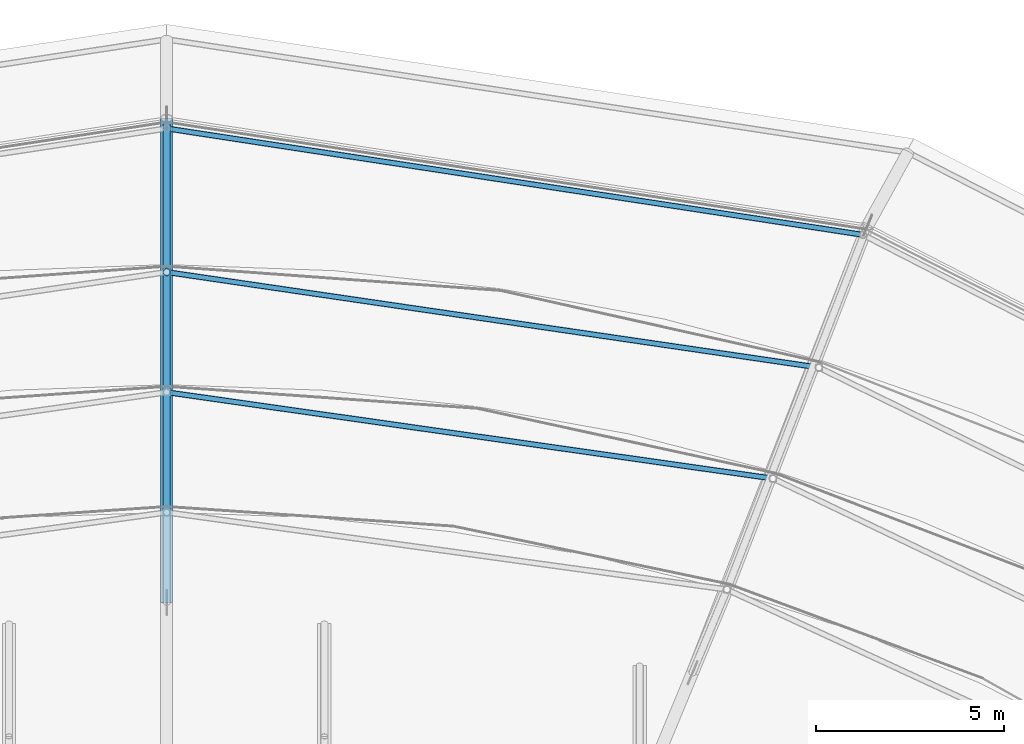
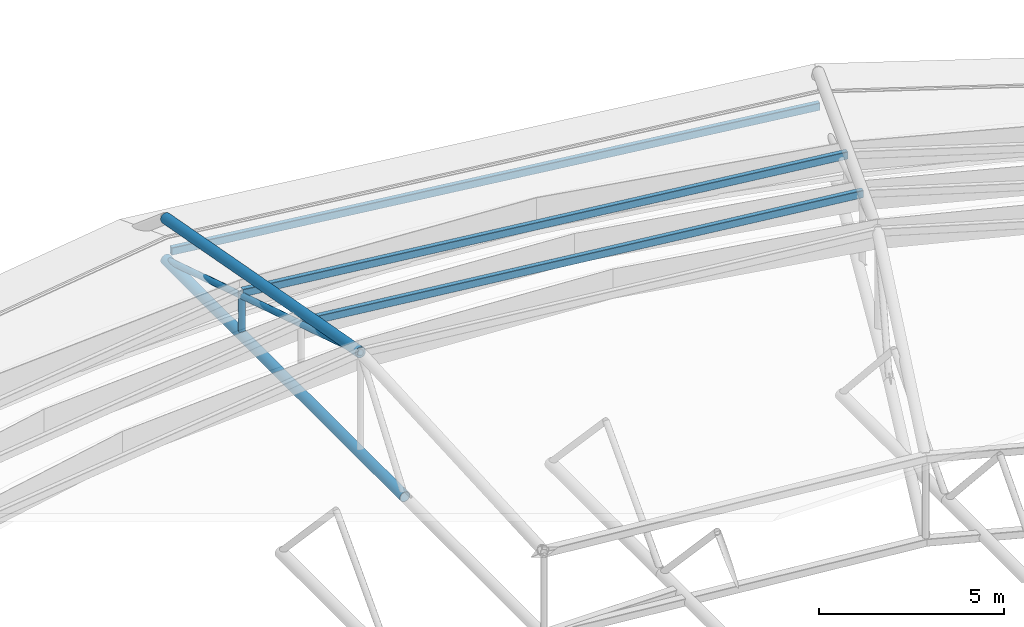
# One storey, part 45 of 134: 4 members, 3 beams.
"""IFC4 building model written with IfcOpenShell, lengths in metres."""

from ifc_helpers import new_model, si_unit, derived_unit, direction, frame, origin, origin_2d, place, context, subcontext, project, spatial, hollow_rectangle, hollow_circle, extrude, material, material_profile, profile_set, type_object, element, save


model = new_model("IFC4")

# Units and contexts
model_context = context("Model", 3, precision=1e-05, world=origin(), true_north=direction((0.0, 1.0)))
body_context = subcontext(model_context, "Body", "Model", "MODEL_VIEW")
ifc_project = project(units=[si_unit("LENGTHUNIT", "METRE"), si_unit("AREAUNIT", "SQUARE_METRE"), si_unit("VOLUMEUNIT", "CUBIC_METRE"), si_unit("PLANEANGLEUNIT", "RADIAN"), si_unit("MASSUNIT", "GRAM", prefix="KILO"), derived_unit("THERMALTRANSMITTANCEUNIT", [(si_unit("MASSUNIT", "GRAM", prefix="KILO"), 1), (si_unit("TIMEUNIT", "SECOND"), -3), (si_unit("THERMODYNAMICTEMPERATUREUNIT", "KELVIN"), -1)])], contexts=[model_context])

# Site, building, storey
site_placement = place(None, origin())
site = spatial("IfcSite", under=ifc_project, at=site_placement, CompositionType="ELEMENT")
building_placement = place(site_placement, origin())
building = spatial("IfcBuilding", under=site, at=building_placement, Name="Kharveza Railside Sports Centre", CompositionType="ELEMENT")
storey_placement = place(building_placement, frame((0.0, 0.0, 12.89990234375)))
storey = spatial("IfcBuildingStorey", under=building, at=storey_placement, Name="L03", CompositionType="ELEMENT", Elevation=12.89990234375)

# Beams
ifc_material = material(Name="Steel S355J2", Category="steel")
ifc_material_profile_1 = material_profile(ifc_material, hollow_rectangle(XDim=0.14990234375, YDim=0.25, WallThickness=0.010009765625, InnerFilletRadius=0.010009765625, OuterFilletRadius=0.02001953125, at=origin_2d()), Name="RHS 150x250x10.0")
ifc_profile_set_1 = profile_set([ifc_material_profile_1], Name="Steel S355J2")
beam_type = type_object("IfcBeamType", Name="BM-SP04", PredefinedType="SPANDREL", material=ifc_profile_set_1)
beam_1_placement = place(storey_placement, frame((73.148681640625, 84.793212890625, 0.405029296875), z_axis=(-0.988530449225, 0.151021690348, 0.0), x_axis=(-0.151021690348, -0.988530449225, 0.0)))
element("IfcBeam", 1, at=beam_1_placement, inside=storey, type_object=beam_type, Name="BM-LIDRING-S1-04", PredefinedType="SPANDREL", context=body_context, shape_type="SweptSolid", body=[
    extrude(hollow_rectangle(XDim=0.14990234375, YDim=0.25, WallThickness=0.010009765625, InnerFilletRadius=0.010009765625, OuterFilletRadius=0.02001953125, at=origin_2d()), origin(), (0.0, 0.0, 1.0), 18.763916015625),
])
beam_2_placement = place(storey_placement, frame((71.973876953125, 81.257568359375, 1.35498046875), z_axis=(-0.989461258484, 0.144797852056, 0.0), x_axis=(-0.144797852056, -0.989461258484, 0.0)))
element("IfcBeam", 2, at=beam_2_placement, inside=storey, type_object=beam_type, Name="BM-LIDRING-S2-04", PredefinedType="SPANDREL", context=body_context, shape_type="SweptSolid", body=[
    extrude(hollow_rectangle(XDim=0.14990234375, YDim=0.25, WallThickness=0.010009765625, InnerFilletRadius=0.010009765625, OuterFilletRadius=0.02001953125, at=origin_2d()), origin(), (0.0, 0.0, 1.0), 17.558837890625),
])
beam_3_placement = place(storey_placement, frame((70.749267578125, 78.30126953125, 2.30517578125), z_axis=(-0.990019715922, 0.140928925652, 0.0), x_axis=(-0.140928925652, -0.990019715922, 0.0)))
element("IfcBeam", 3, at=beam_3_placement, inside=storey, type_object=beam_type, Name="BM-LIDRING-S3-04", PredefinedType="SPANDREL", context=body_context, shape_type="SweptSolid", body=[
    extrude(hollow_rectangle(XDim=0.14990234375, YDim=0.25, WallThickness=0.010009765625, InnerFilletRadius=0.010009765625, OuterFilletRadius=0.02001953125, at=origin_2d()), origin(), (0.0, 0.0, 1.0), 16.31201171875),
])

# Members
ifc_material_profile_2 = material_profile(ifc_material, hollow_circle(Radius=0.161865234375, WallThickness=0.01611328125, at=origin_2d()), Name="CHS 323.9x16.0")
ifc_profile_set_2 = profile_set([ifc_material_profile_2], Name="Steel S355J2")
member_type_1 = type_object("IfcMemberType", Name="MB-CH02", PredefinedType="CHORD", material=ifc_profile_set_2)
member_1_placement = place(storey_placement, frame((54.60009765625, 75.0, -0.0498046875), z_axis=(0.0, 1.0, 0.0), x_axis=(-1.0, 0.0, 0.0)))
element("IfcMember", 4, at=member_1_placement, inside=storey, type_object=member_type_1, Name="MB-OUT-BC2-05", PredefinedType="CHORD", context=body_context, shape_type="SweptSolid", body=[
    extrude(hollow_circle(Radius=0.161865234375, WallThickness=0.01611328125, at=origin_2d()), origin(), (0.0, 0.0, 1.0), 12.89990234375),
])
member_2_placement = place(storey_placement, frame((54.60009765625, 77.39990234375, 3.25), z_axis=(0.0, 0.983189556866, -0.182587774151), x_axis=(-1.0, 0.0, 0.0)))
element("IfcMember", 5, at=member_2_placement, inside=storey, type_object=member_type_1, Name="MB-OUT-TC2-05", PredefinedType="CHORD", context=body_context, shape_type="SweptSolid", body=[
    extrude(hollow_circle(Radius=0.161865234375, WallThickness=0.01611328125, at=origin_2d()), origin(), (0.0, 0.0, 1.0), 10.679443359375),
])
ifc_material_profile_3 = material_profile(ifc_material, hollow_circle(Radius=0.096923828125, WallThickness=0.010009765625, at=origin_2d()), Name="CHS 193.7x10.0")
ifc_profile_set_3 = profile_set([ifc_material_profile_3], Name="Steel S355J2")
member_type_2 = type_object("IfcMemberType", Name="MB-ST02", PredefinedType="STRUT", material=ifc_profile_set_3)
member_3_placement = place(storey_placement, frame((54.60009765625, 83.800048828125, -0.0498046875), z_axis=(0.0, 0.0, 1.0), x_axis=(1.0, 0.0, 0.0)))
element("IfcMember", 6, at=member_3_placement, inside=storey, type_object=member_type_2, Name="MB-LIDPOST-S2-05", PredefinedType="STRUT", context=body_context, shape_type="SweptSolid", body=[
    extrude(hollow_circle(Radius=0.096923828125, WallThickness=0.010009765625, at=origin_2d()), origin(), (0.0, 0.0, 1.0), 1.40478515625),
])
member_4_placement = place(storey_placement, frame((54.60009765625, 77.39990234375, 3.25), z_axis=(0.0, 0.953998792561, -0.299810446435), x_axis=(-1.0, 0.0, 0.0)))
element("IfcMember", 7, at=member_4_placement, inside=storey, type_object=member_type_2, Name="MB-OUT-WEB-05-3", PredefinedType="STRUT", context=body_context, shape_type="SweptSolid", body=[
    extrude(hollow_circle(Radius=0.096923828125, WallThickness=0.010009765625, at=origin_2d()), origin(), (0.0, 0.0, 1.0), 11.00634765625),
])

save(model, "model.ifc")
